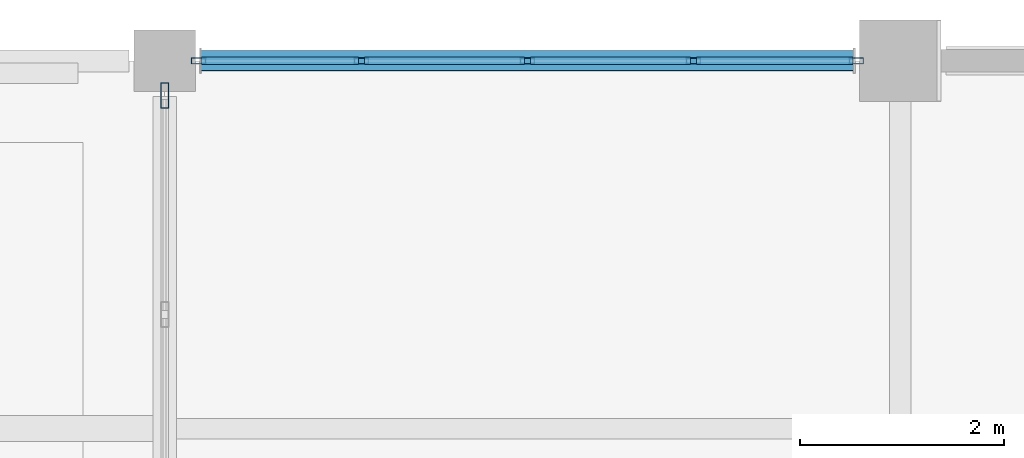
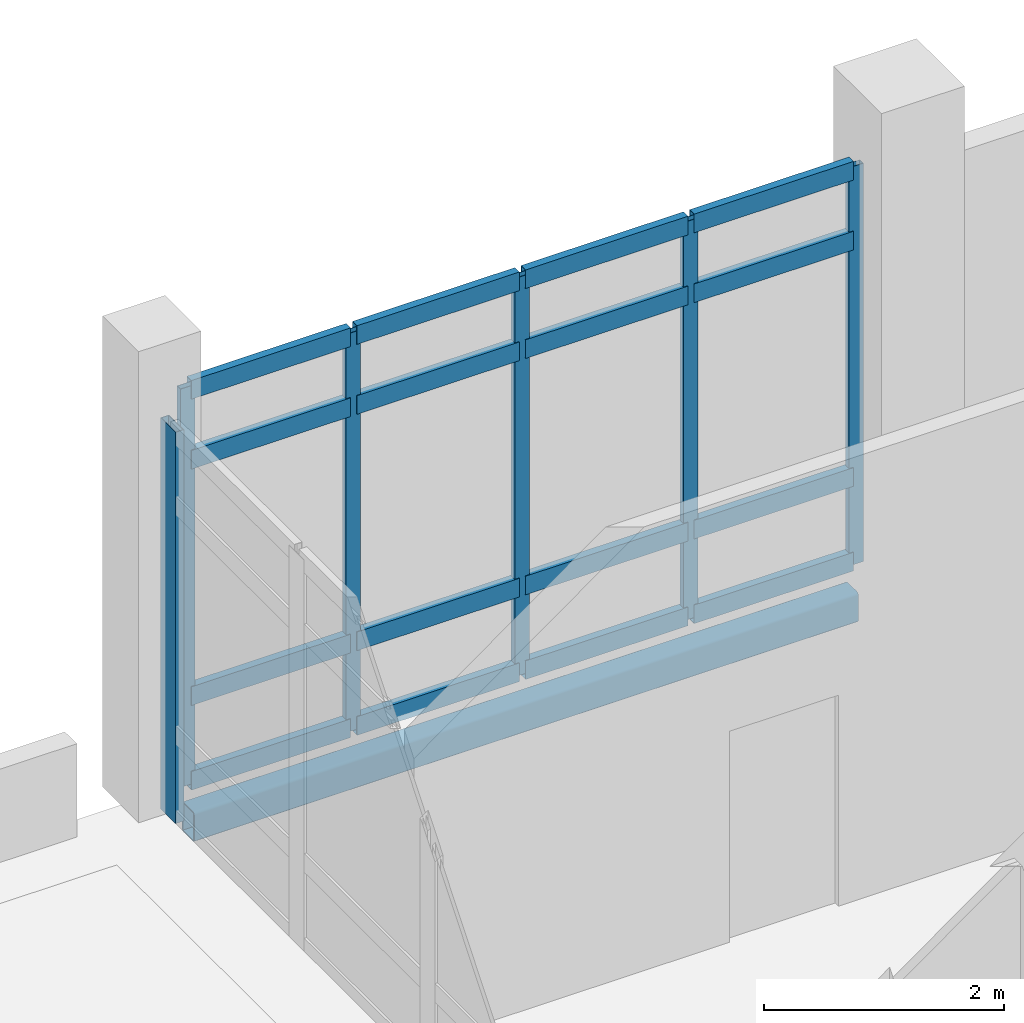
# One storey, part 85 of 186: 22 members, 1 beam, 2 elements without a shape of their own.
"""IFC4 building model written with IfcOpenShell, lengths in metres."""

from ifc_helpers import new_model, si_unit, direction, frame, origin, origin_2d, place, context, subcontext, project, spatial, hollow_rectangle, extrude, material, layer, layer_set, material_profile, profile_set, type_object, element, aggregate, save


model = new_model("IFC4")

# Units and contexts
model_context = context("Model", 3, precision=1e-05, world=origin(), true_north=direction((0.0, 1.0)))
body_context = subcontext(model_context, "Body", "Model", "MODEL_VIEW")
ifc_project = project(units=[si_unit("LENGTHUNIT", "METRE"), si_unit("AREAUNIT", "SQUARE_METRE"), si_unit("VOLUMEUNIT", "CUBIC_METRE"), si_unit("PLANEANGLEUNIT", "RADIAN"), si_unit("MASSUNIT", "GRAM", prefix="KILO")], contexts=[model_context])

# Site, building, storey
site_placement = place(None, origin())
site = spatial("IfcSite", under=ifc_project, at=site_placement, CompositionType="ELEMENT")
building_placement = place(site_placement, origin())
building = spatial("IfcBuilding", under=site, at=building_placement, Name="Calvrana Isthmian Art Gallery", CompositionType="ELEMENT")
storey_placement = place(building_placement, frame((0.0, 0.0, 5.39990234375)))
storey = spatial("IfcBuildingStorey", under=building, at=storey_placement, Name="L01", CompositionType="ELEMENT", Elevation=5.39990234375)

# Beam
ifc_material_1 = material(Name="Steel ASTM A500 Gr C", Category="steel")
ifc_material_profile_1 = material_profile(ifc_material_1, hollow_rectangle(XDim=0.203125, YDim=0.3046875, WallThickness=0.0126953125, OuterFilletRadius=0.02490234375, at=origin_2d()), Name="HSS305X203X12.7")
ifc_profile_set_1 = profile_set([ifc_material_profile_1], Name="Steel ASTM A500 Gr C")
beam_type = type_object("IfcBeamType", Name="BM-SP-HSS305", PredefinedType="SPANDREL", material=ifc_profile_set_1)
beam_placement = place(storey_placement, frame((7.550048828125, 112.800048828125, -0.397216796875), z_axis=(1.0, 0.0, 0.0), x_axis=(0.0, 1.0, 0.0)))
element("IfcBeam", 1, at=beam_placement, inside=storey, type_object=beam_type, Name="Girder X L01 02-03/P", PredefinedType="SPANDREL", context=body_context, shape_type="SweptSolid", body=[
    extrude(hollow_rectangle(XDim=0.203125, YDim=0.3046875, WallThickness=0.0126953125, OuterFilletRadius=0.02490234375, at=origin_2d()), origin(), (0.0, 0.0, 1.0), 6.39990234375),
])

# Curtain wall, members
ifc_material_2 = material(Name="Anodized bronze aluminium 6063-T6", Category="aluminium")
ifc_layer_1 = layer(ifc_material_2, 0.179931640625, Name="Anodized bronze aluminium 6063-T6")
ifc_layer_set_1 = layer_set([ifc_layer_1], Name="Anodized bronze aluminium 6063-T6")
curtain_wall_type_1 = type_object("IfcCurtainWallType", Name="CW-UNIT-065X41", PredefinedType="USERDEFINED", material=ifc_layer_set_1)
curtain_wall_1_placement = place(storey_placement, origin())
curtain_wall_1 = element("IfcCurtainWall", 2, at=curtain_wall_1_placement, inside=storey, type_object=curtain_wall_type_1, Name="Curtain wall CW-114", ObjectType="UNITISED CURTAIN WALL", PredefinedType="USERDEFINED")
ifc_material_profile_2 = material_profile(ifc_material_2, hollow_rectangle(XDim=0.06005859375, YDim=0.139892578125, WallThickness=0.00390625, at=origin_2d()), Name="CWM60X140")
ifc_profile_set_2 = profile_set([ifc_material_profile_2], Name="Anodized bronze aluminium 6063-T6")
member_type_1 = type_object("IfcMemberType", Name="CWM-CWM60X140", PredefinedType="MULLION", material=ifc_profile_set_2)
member_1_placement = place(storey_placement, frame((7.530029296875, 112.800048828125, 0.0), z_axis=(0.0, 0.0, 1.0), x_axis=(0.0, 1.0, 0.0)))
member_1 = element("IfcMember", 3, at=member_1_placement, type_object=member_type_1, Name="CW-114 mullion 1", PredefinedType="MULLION", context=body_context, shape_type="SweptSolid", body=[
    extrude(hollow_rectangle(XDim=0.06005859375, YDim=0.139892578125, WallThickness=0.00390625, at=origin_2d()), origin(), (0.0, 0.0, 1.0), 4.05810546875),
])
member_2_placement = place(storey_placement, frame((9.125, 112.800048828125, 0.0), z_axis=(0.0, 0.0, 1.0), x_axis=(0.0, 1.0, 0.0)))
member_2 = element("IfcMember", 4, at=member_2_placement, type_object=member_type_1, Name="CW-114 mullion 2", PredefinedType="MULLION", context=body_context, shape_type="SweptSolid", body=[
    extrude(hollow_rectangle(XDim=0.06005859375, YDim=0.139892578125, WallThickness=0.00390625, at=origin_2d()), origin(), (0.0, 0.0, 1.0), 4.05810546875),
])
member_3_placement = place(storey_placement, frame((10.75, 112.800048828125, 0.0), z_axis=(0.0, 0.0, 1.0), x_axis=(0.0, 1.0, 0.0)))
member_3 = element("IfcMember", 5, at=member_3_placement, type_object=member_type_1, Name="CW-114 mullion 3", PredefinedType="MULLION", context=body_context, shape_type="SweptSolid", body=[
    extrude(hollow_rectangle(XDim=0.06005859375, YDim=0.139892578125, WallThickness=0.00390625, at=origin_2d()), origin(), (0.0, 0.0, 1.0), 4.05810546875),
])
member_4_placement = place(storey_placement, frame((12.375, 112.800048828125, 0.0), z_axis=(0.0, 0.0, 1.0), x_axis=(0.0, 1.0, 0.0)))
member_4 = element("IfcMember", 6, at=member_4_placement, type_object=member_type_1, Name="CW-114 mullion 4", PredefinedType="MULLION", context=body_context, shape_type="SweptSolid", body=[
    extrude(hollow_rectangle(XDim=0.06005859375, YDim=0.139892578125, WallThickness=0.00390625, at=origin_2d()), origin(), (0.0, 0.0, 1.0), 4.05810546875),
])
member_5_placement = place(storey_placement, frame((13.969970703125, 112.800048828125, 0.0), z_axis=(0.0, 0.0, 1.0), x_axis=(0.0, 1.0, 0.0)))
member_5 = element("IfcMember", 7, at=member_5_placement, type_object=member_type_1, Name="CW-114 mullion 5", PredefinedType="MULLION", context=body_context, shape_type="SweptSolid", body=[
    extrude(hollow_rectangle(XDim=0.06005859375, YDim=0.139892578125, WallThickness=0.00390625, at=origin_2d()), origin(), (0.0, 0.0, 1.0), 4.05810546875),
])

# Curtain wall, member
ifc_layer_2 = layer(ifc_material_2, 0.179931640625, Name="Anodized bronze aluminium 6063-T6")
ifc_layer_set_2 = layer_set([ifc_layer_2], Name="Anodized bronze aluminium 6063-T6")
curtain_wall_type_2 = type_object("IfcCurtainWallType", Name="CW-STICK-065X40", PredefinedType="NOTDEFINED", material=ifc_layer_set_2)
curtain_wall_2_placement = place(storey_placement, origin())
curtain_wall_2 = element("IfcCurtainWall", 8, at=curtain_wall_2_placement, inside=storey, type_object=curtain_wall_type_2, Name="Curtain wall CW-119", PredefinedType="NOTDEFINED")
ifc_material_profile_3 = material_profile(ifc_material_2, hollow_rectangle(XDim=0.080078125, YDim=0.25, WallThickness=0.005615234375, at=origin_2d()), Name="CWM80X250")
ifc_profile_set_3 = profile_set([ifc_material_profile_3], Name="Anodized bronze aluminium 6063-T6")
member_type_2 = type_object("IfcMemberType", Name="CWM-CWM80X250", PredefinedType="MULLION", material=ifc_profile_set_3)
member_6_placement = place(storey_placement, frame((7.199951171875, 112.4599609375, 0.0), z_axis=(0.0, 0.0, 1.0), x_axis=(-1.0, 0.0, 0.0)))
member_6 = element("IfcMember", 9, at=member_6_placement, type_object=member_type_2, Name="CW-119 mullion 4", PredefinedType="MULLION", context=body_context, shape_type="SweptSolid", body=[
    extrude(hollow_rectangle(XDim=0.080078125, YDim=0.25, WallThickness=0.005615234375, at=origin_2d()), origin(), (0.0, 0.0, 1.0), 3.987060546875),
])
aggregate(curtain_wall_2, [member_6])

# Member
ifc_material_profile_4 = material_profile(ifc_material_2, hollow_rectangle(XDim=0.074951171875, YDim=0.18994140625, WallThickness=0.00439453125, at=origin_2d()), Name="CWT75X190")
ifc_profile_set_4 = profile_set([ifc_material_profile_4], Name="Anodized bronze aluminium 6063-T6")
member_type_3 = type_object("IfcMemberType", Name="CWT-CWT75X190", PredefinedType="USERDEFINED", material=ifc_profile_set_4)
member_7_placement = place(storey_placement, frame((7.56005859375, 112.800048828125, 0.03759765625), z_axis=(1.0, 0.0, 0.0), x_axis=(0.0, 1.0, 0.0)))
member_7 = element("IfcMember", 10, at=member_7_placement, type_object=member_type_3, Name="CW-114 transom 1.1", ObjectType="TRANSOM", PredefinedType="USERDEFINED", context=body_context, shape_type="SweptSolid", body=[
    extrude(hollow_rectangle(XDim=0.074951171875, YDim=0.18994140625, WallThickness=0.00439453125, at=origin_2d()), origin(), (0.0, 0.0, 1.0), 1.534912109375),
])

member_8_placement = place(storey_placement, frame((7.56005859375, 112.800048828125, 0.900146484375), z_axis=(1.0, 0.0, 0.0), x_axis=(0.0, 1.0, 0.0)))
member_8 = element("IfcMember", 11, at=member_8_placement, type_object=member_type_3, Name="CW-114 transom 1.2", ObjectType="TRANSOM", PredefinedType="USERDEFINED", context=body_context, shape_type="SweptSolid", body=[
    extrude(hollow_rectangle(XDim=0.074951171875, YDim=0.18994140625, WallThickness=0.00439453125, at=origin_2d()), origin(), (0.0, 0.0, 1.0), 1.534912109375),
])

member_9_placement = place(storey_placement, frame((7.56005859375, 112.800048828125, 3.30810546875), z_axis=(1.0, 0.0, 0.0), x_axis=(0.0, 1.0, 0.0)))
member_9 = element("IfcMember", 12, at=member_9_placement, type_object=member_type_3, Name="CW-114 transom 1.3", ObjectType="TRANSOM", PredefinedType="USERDEFINED", context=body_context, shape_type="SweptSolid", body=[
    extrude(hollow_rectangle(XDim=0.074951171875, YDim=0.18994140625, WallThickness=0.00439453125, at=origin_2d()), origin(), (0.0, 0.0, 1.0), 1.534912109375),
])

member_10_placement = place(storey_placement, frame((7.56005859375, 112.800048828125, 4.0205078125), z_axis=(1.0, 0.0, 0.0), x_axis=(0.0, 1.0, 0.0)))
member_10 = element("IfcMember", 13, at=member_10_placement, type_object=member_type_3, Name="CW-114 transom 1.4", ObjectType="TRANSOM", PredefinedType="USERDEFINED", context=body_context, shape_type="SweptSolid", body=[
    extrude(hollow_rectangle(XDim=0.074951171875, YDim=0.18994140625, WallThickness=0.00439453125, at=origin_2d()), origin(), (0.0, 0.0, 1.0), 1.534912109375),
])

member_11_placement = place(storey_placement, frame((9.155029296875, 112.800048828125, 0.03759765625), z_axis=(1.0, 0.0, 0.0), x_axis=(0.0, 1.0, 0.0)))
member_11 = element("IfcMember", 14, at=member_11_placement, type_object=member_type_3, Name="CW-114 transom 2.1", ObjectType="TRANSOM", PredefinedType="USERDEFINED", context=body_context, shape_type="SweptSolid", body=[
    extrude(hollow_rectangle(XDim=0.074951171875, YDim=0.18994140625, WallThickness=0.00439453125, at=origin_2d()), origin(), (0.0, 0.0, 1.0), 1.56494140625),
])

member_12_placement = place(storey_placement, frame((9.155029296875, 112.800048828125, 0.900146484375), z_axis=(1.0, 0.0, 0.0), x_axis=(0.0, 1.0, 0.0)))
member_12 = element("IfcMember", 15, at=member_12_placement, type_object=member_type_3, Name="CW-114 transom 2.2", ObjectType="TRANSOM", PredefinedType="USERDEFINED", context=body_context, shape_type="SweptSolid", body=[
    extrude(hollow_rectangle(XDim=0.074951171875, YDim=0.18994140625, WallThickness=0.00439453125, at=origin_2d()), origin(), (0.0, 0.0, 1.0), 1.56494140625),
])

member_13_placement = place(storey_placement, frame((9.155029296875, 112.800048828125, 3.30810546875), z_axis=(1.0, 0.0, 0.0), x_axis=(0.0, 1.0, 0.0)))
member_13 = element("IfcMember", 16, at=member_13_placement, type_object=member_type_3, Name="CW-114 transom 2.3", ObjectType="TRANSOM", PredefinedType="USERDEFINED", context=body_context, shape_type="SweptSolid", body=[
    extrude(hollow_rectangle(XDim=0.074951171875, YDim=0.18994140625, WallThickness=0.00439453125, at=origin_2d()), origin(), (0.0, 0.0, 1.0), 1.56494140625),
])

member_14_placement = place(storey_placement, frame((9.155029296875, 112.800048828125, 4.0205078125), z_axis=(1.0, 0.0, 0.0), x_axis=(0.0, 1.0, 0.0)))
member_14 = element("IfcMember", 17, at=member_14_placement, type_object=member_type_3, Name="CW-114 transom 2.4", ObjectType="TRANSOM", PredefinedType="USERDEFINED", context=body_context, shape_type="SweptSolid", body=[
    extrude(hollow_rectangle(XDim=0.074951171875, YDim=0.18994140625, WallThickness=0.00439453125, at=origin_2d()), origin(), (0.0, 0.0, 1.0), 1.56494140625),
])

member_15_placement = place(storey_placement, frame((10.780029296875, 112.800048828125, 0.03759765625), z_axis=(1.0, 0.0, 0.0), x_axis=(0.0, 1.0, 0.0)))
member_15 = element("IfcMember", 18, at=member_15_placement, type_object=member_type_3, Name="CW-114 transom 3.1", ObjectType="TRANSOM", PredefinedType="USERDEFINED", context=body_context, shape_type="SweptSolid", body=[
    extrude(hollow_rectangle(XDim=0.074951171875, YDim=0.18994140625, WallThickness=0.00439453125, at=origin_2d()), origin(), (0.0, 0.0, 1.0), 1.56494140625),
])

member_16_placement = place(storey_placement, frame((10.780029296875, 112.800048828125, 0.900146484375), z_axis=(1.0, 0.0, 0.0), x_axis=(0.0, 1.0, 0.0)))
member_16 = element("IfcMember", 19, at=member_16_placement, type_object=member_type_3, Name="CW-114 transom 3.2", ObjectType="TRANSOM", PredefinedType="USERDEFINED", context=body_context, shape_type="SweptSolid", body=[
    extrude(hollow_rectangle(XDim=0.074951171875, YDim=0.18994140625, WallThickness=0.00439453125, at=origin_2d()), origin(), (0.0, 0.0, 1.0), 1.56494140625),
])

member_17_placement = place(storey_placement, frame((10.780029296875, 112.800048828125, 3.30810546875), z_axis=(1.0, 0.0, 0.0), x_axis=(0.0, 1.0, 0.0)))
member_17 = element("IfcMember", 20, at=member_17_placement, type_object=member_type_3, Name="CW-114 transom 3.3", ObjectType="TRANSOM", PredefinedType="USERDEFINED", context=body_context, shape_type="SweptSolid", body=[
    extrude(hollow_rectangle(XDim=0.074951171875, YDim=0.18994140625, WallThickness=0.00439453125, at=origin_2d()), origin(), (0.0, 0.0, 1.0), 1.56494140625),
])

member_18_placement = place(storey_placement, frame((10.780029296875, 112.800048828125, 4.0205078125), z_axis=(1.0, 0.0, 0.0), x_axis=(0.0, 1.0, 0.0)))
member_18 = element("IfcMember", 21, at=member_18_placement, type_object=member_type_3, Name="CW-114 transom 3.4", ObjectType="TRANSOM", PredefinedType="USERDEFINED", context=body_context, shape_type="SweptSolid", body=[
    extrude(hollow_rectangle(XDim=0.074951171875, YDim=0.18994140625, WallThickness=0.00439453125, at=origin_2d()), origin(), (0.0, 0.0, 1.0), 1.56494140625),
])

member_19_placement = place(storey_placement, frame((12.405029296875, 112.800048828125, 0.03759765625), z_axis=(1.0, 0.0, 0.0), x_axis=(0.0, 1.0, 0.0)))
member_19 = element("IfcMember", 22, at=member_19_placement, type_object=member_type_3, Name="CW-114 transom 4.1", ObjectType="TRANSOM", PredefinedType="USERDEFINED", context=body_context, shape_type="SweptSolid", body=[
    extrude(hollow_rectangle(XDim=0.074951171875, YDim=0.18994140625, WallThickness=0.00439453125, at=origin_2d()), origin(), (0.0, 0.0, 1.0), 1.534912109375),
])

member_20_placement = place(storey_placement, frame((12.405029296875, 112.800048828125, 0.900146484375), z_axis=(1.0, 0.0, 0.0), x_axis=(0.0, 1.0, 0.0)))
member_20 = element("IfcMember", 23, at=member_20_placement, type_object=member_type_3, Name="CW-114 transom 4.2", ObjectType="TRANSOM", PredefinedType="USERDEFINED", context=body_context, shape_type="SweptSolid", body=[
    extrude(hollow_rectangle(XDim=0.074951171875, YDim=0.18994140625, WallThickness=0.00439453125, at=origin_2d()), origin(), (0.0, 0.0, 1.0), 1.534912109375),
])

member_21_placement = place(storey_placement, frame((12.405029296875, 112.800048828125, 3.30810546875), z_axis=(1.0, 0.0, 0.0), x_axis=(0.0, 1.0, 0.0)))
member_21 = element("IfcMember", 24, at=member_21_placement, type_object=member_type_3, Name="CW-114 transom 4.3", ObjectType="TRANSOM", PredefinedType="USERDEFINED", context=body_context, shape_type="SweptSolid", body=[
    extrude(hollow_rectangle(XDim=0.074951171875, YDim=0.18994140625, WallThickness=0.00439453125, at=origin_2d()), origin(), (0.0, 0.0, 1.0), 1.534912109375),
])

member_22_placement = place(storey_placement, frame((12.405029296875, 112.800048828125, 4.0205078125), z_axis=(1.0, 0.0, 0.0), x_axis=(0.0, 1.0, 0.0)))
member_22 = element("IfcMember", 25, at=member_22_placement, type_object=member_type_3, Name="CW-114 transom 4.4", ObjectType="TRANSOM", PredefinedType="USERDEFINED", context=body_context, shape_type="SweptSolid", body=[
    extrude(hollow_rectangle(XDim=0.074951171875, YDim=0.18994140625, WallThickness=0.00439453125, at=origin_2d()), origin(), (0.0, 0.0, 1.0), 1.534912109375),
])

aggregate(curtain_wall_1, [member_1, member_2, member_3, member_4, member_5, member_7, member_8, member_9, member_10, member_11, member_12, member_13, member_14, member_15, member_16, member_17, member_18, member_19, member_20, member_21, member_22])

save(model, "model.ifc")
